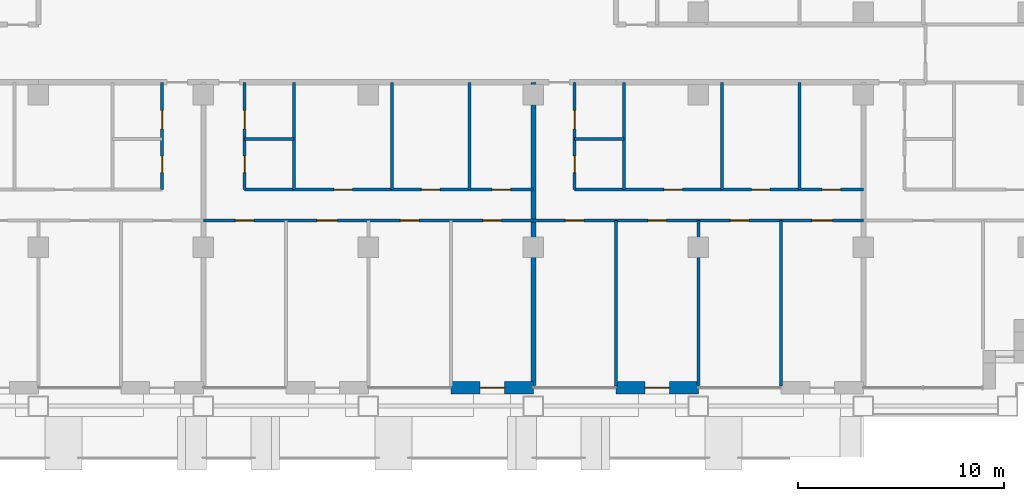
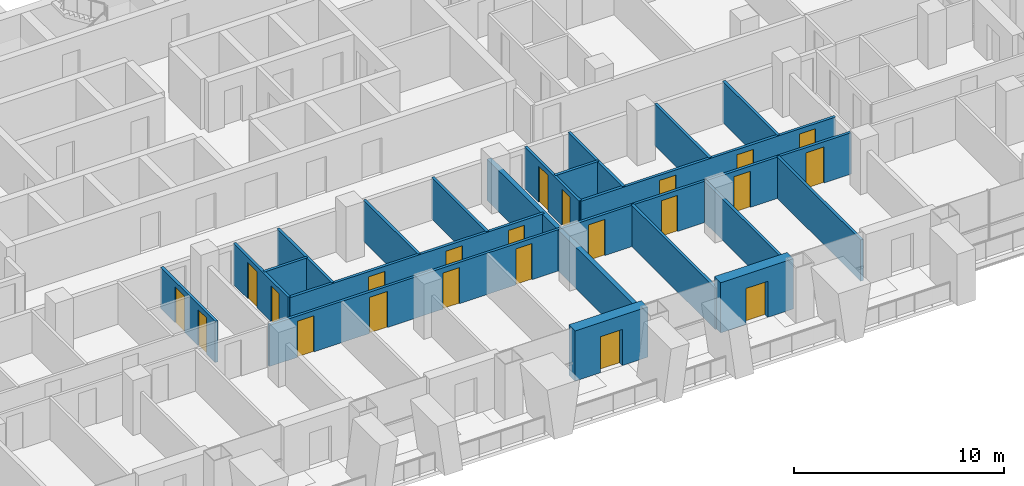
# One storey, part 11 of 19: 22 doors, 21 walls, 22 openings.
"""IFC4 building model written with IfcOpenShell, lengths in metres."""

from ifc_helpers import new_model, si_unit, direction, frame, frame_2d, origin, place, context, subcontext, project, spatial, rectangle, extrude, material, layer, layer_set, type_object, element, fill, save


model = new_model("IFC4")

# Units and contexts
model_context = context("Model", 3, precision=1e-05, world=origin(), true_north=direction((0.0, 1.0)))
body_context = subcontext(model_context, "Body", "Model", "MODEL_VIEW")
ifc_project = project(units=[si_unit("LENGTHUNIT", "METRE"), si_unit("AREAUNIT", "SQUARE_METRE"), si_unit("VOLUMEUNIT", "CUBIC_METRE"), si_unit("PLANEANGLEUNIT", "RADIAN"), si_unit("MASSUNIT", "GRAM", prefix="KILO")], contexts=[model_context])

# Site, building, storey
site_placement = place(None, origin())
site = spatial("IfcSite", under=ifc_project, at=site_placement, CompositionType="ELEMENT")
building_placement = place(site_placement, origin())
building = spatial("IfcBuilding", under=site, at=building_placement, Name="Vidyagriha Tower", CompositionType="ELEMENT")
storey_placement = place(building_placement, frame((0.0, 0.0, 57.60009765625)))
storey = spatial("IfcBuildingStorey", under=building, at=storey_placement, Name="L15", CompositionType="ELEMENT", Elevation=57.60009765625)

# Wall, opening, door
ifc_material_1 = material(Name="Precast concrete C40/50 with brick facing", Category="concrete")
ifc_layer_1 = layer(ifc_material_1, 0.60009765625)
ifc_layer_set_1 = layer_set([ifc_layer_1], Name="Precast concrete C40/50 with brick facing")
wall_type_1 = type_object("IfcWallType", Name="Brick-faced precast wall 600", PredefinedType="STANDARD", material=ifc_layer_set_1)
wall_1_placement = place(storey_placement, frame((6.0, -16.199951171875, 0.0)))
wall_1 = element("IfcWall", 1, at=wall_1_placement, inside=storey, type_object=wall_type_1, Name="Brick door bay wall L15 R23.11", PredefinedType="STANDARD", context=body_context, shape_type="SweptSolid", body=[
    extrude(rectangle(XDim=4.0, YDim=0.60009765625, at=frame_2d((2.0, 0.0))), origin(), (0.0, 0.0, 1.0), 2.919921875),
])
opening_1_placement = place(wall_1_placement, frame((1.39990234375, 0.0, 0.0)))
opening_1 = element("IfcOpeningElement", 2, at=opening_1_placement, cuts=wall_1, Name="Opening D15-88", PredefinedType="OPENING", context=body_context, shape_type="SweptSolid", body=[
    extrude(rectangle(XDim=1.199951171875, YDim=2.10009765625, at=frame_2d((0.60009765625, 1.050048828125))), frame((0.0, 0.31005859375, 0.0), z_axis=(0.0, -1.0, 0.0), x_axis=(1.0, 0.0, 0.0)), (0.0, 0.0, 1.0), 0.6201171875),
])
ifc_material_2 = material(Name="Aluminium framed glazed sliding door", Category="aluminium")
door_type_1 = type_object("IfcDoorType", Name="Balcony sliding door 1200x2100", OperationType="NOTDEFINED", PredefinedType="DOOR", material=ifc_material_2)
door_1_placement = place(opening_1_placement, origin())
door_1 = element("IfcDoor", 3, at=door_1_placement, inside=storey, type_object=door_type_1, Name="Door D15-88", OperationType="SLIDING_TO_LEFT", OverallHeight=2.10009765625, OverallWidth=1.199951171875, PredefinedType="DOOR", context=body_context, shape_type="SweptSolid", body=[
    extrude(rectangle(XDim=1.199951171875, YDim=2.10009765625, at=frame_2d((0.60009765625, 1.050048828125))), frame((0.0, 0.02490234375, 0.0), z_axis=(0.0, -1.0, 0.0), x_axis=(1.0, 0.0, 0.0)), (0.0, 0.0, 1.0), 0.050048828125),
])
fill(opening_1, door_1)

wall_2_placement = place(storey_placement, frame((14.0, -16.199951171875, 0.0)))
wall_2 = element("IfcWall", 4, at=wall_2_placement, inside=storey, type_object=wall_type_1, Name="Brick door bay wall L15 R23.13", PredefinedType="STANDARD", context=body_context, shape_type="SweptSolid", body=[
    extrude(rectangle(XDim=4.0, YDim=0.60009765625, at=frame_2d((2.0, 0.0))), origin(), (0.0, 0.0, 1.0), 2.919921875),
])
opening_2_placement = place(wall_2_placement, frame((1.39990234375, 0.0, 0.0)))
opening_2 = element("IfcOpeningElement", 5, at=opening_2_placement, cuts=wall_2, Name="Opening D15-89", PredefinedType="OPENING", context=body_context, shape_type="SweptSolid", body=[
    extrude(rectangle(XDim=1.199951171875, YDim=2.10009765625, at=frame_2d((0.60009765625, 1.050048828125))), frame((0.0, 0.31005859375, 0.0), z_axis=(0.0, -1.0, 0.0), x_axis=(1.0, 0.0, 0.0)), (0.0, 0.0, 1.0), 0.6201171875),
])
door_2_placement = place(opening_2_placement, origin())
door_2 = element("IfcDoor", 6, at=door_2_placement, inside=storey, type_object=door_type_1, Name="Door D15-89", OperationType="SLIDING_TO_LEFT", OverallHeight=2.10009765625, OverallWidth=1.199951171875, PredefinedType="DOOR", context=body_context, shape_type="SweptSolid", body=[
    extrude(rectangle(XDim=1.199951171875, YDim=2.10009765625, at=frame_2d((0.60009765625, 1.050048828125))), frame((0.0, 0.02490234375, 0.0), z_axis=(0.0, -1.0, 0.0), x_axis=(1.0, 0.0, 0.0)), (0.0, 0.0, 1.0), 0.050048828125),
])
fill(opening_2, door_2)

# Walls
ifc_material_3 = material(Name="Fired clay brick masonry", Category="masonry")
ifc_layer_2 = layer(ifc_material_3, 0.25)
ifc_layer_set_2 = layer_set([ifc_layer_2], Name="Fired clay brick masonry")
wall_type_2 = type_object("IfcWallType", Name="Fired clay brick demising wall 250", PredefinedType="PARTITIONING", material=ifc_layer_set_2)
wall_3_placement = place(storey_placement, frame((10.0, -1.39990234375, 0.0), z_axis=(0.0, 0.0, 1.0), x_axis=(0.0, -1.0, 0.0)))
element("IfcWall", 7, at=wall_3_placement, inside=storey, type_object=wall_type_2, Name="Wall all-L15-w079", PredefinedType="PARTITIONING", context=body_context, shape_type="SweptSolid", body=[
    extrude(rectangle(XDim=14.710205078125, YDim=0.25, at=frame_2d((7.35498046875, 0.0))), origin(), (0.0, 0.0, 1.0), 2.39990234375),
])
ifc_material_4 = material(Name="Gypsum board partition")
ifc_layer_3 = layer(ifc_material_4, 0.14990234375)
ifc_layer_set_3 = layer_set([ifc_layer_3], Name="Gypsum board partition")
wall_type_3 = type_object("IfcWallType", Name="Gypsum board partition 150", PredefinedType="PARTITIONING", material=ifc_layer_set_3)
wall_4_placement = place(storey_placement, frame((-1.60009765625, -4.14990234375, 0.0), z_axis=(0.0, 0.0, 1.0), x_axis=(-1.0, 0.0, 0.0)))
element("IfcWall", 8, at=wall_4_placement, inside=storey, type_object=wall_type_3, Name="Wall all-L15-w041", PredefinedType="PARTITIONING", context=body_context, shape_type="SweptSolid", body=[
    extrude(rectangle(XDim=2.39990234375, YDim=0.14990234375, at=frame_2d((1.199951171875, 0.0))), origin(), (0.0, 0.0, 1.0), 2.39990234375),
])
for number, where, z_axis, x_axis, name in (
    (9, (-1.60009765625, -1.39990234375, 0.0), (0.0, 0.0, 1.0), (0.0, -1.0, 0.0), "Wall all-L15-w042"),
    (10, (3.14990234375, -1.39990234375, 0.0), (0.0, 0.0, 1.0), (0.0, -1.0, 0.0), "Wall all-L15-w043"),
    (11, (6.89990234375, -1.39990234375, 0.0), (0.0, 0.0, 1.0), (0.0, -1.0, 0.0), "Wall all-L15-w044"),
):
    element("IfcWall", number, at=place(storey_placement, frame(where, z_axis=z_axis, x_axis=x_axis)), inside=storey, type_object=wall_type_3, Name=name, PredefinedType="PARTITIONING", context=body_context, shape_type="SweptSolid", body=[
        extrude(rectangle(XDim=5.2001953125, YDim=0.14990234375, at=frame_2d((2.60009765625, 0.0))), origin(), (0.0, 0.0, 1.0), 2.39990234375),
    ])

# Wall, openings, doors
wall_5_placement = place(storey_placement, frame((-4.0, -6.60009765625, 0.0)))
wall_5 = element("IfcWall", 12, at=wall_5_placement, inside=storey, type_object=wall_type_3, Name="Wall all-L15-w045", PredefinedType="PARTITIONING", context=body_context, shape_type="SweptSolid", body=[
    extrude(rectangle(XDim=14.0, YDim=0.14990234375, at=frame_2d((7.0, 0.0))), origin(), (0.0, 0.0, 1.0), 2.39990234375),
])
opening_3_placement = place(wall_5_placement, frame((4.324951171875, 0.0, 0.0)))
opening_3 = element("IfcOpeningElement", 13, at=opening_3_placement, cuts=wall_5, Name="Opening D15-34", PredefinedType="OPENING", context=body_context, shape_type="SweptSolid", body=[
    extrude(rectangle(XDim=0.89990234375, YDim=2.10009765625, at=frame_2d((0.449951171875, 1.050048828125))), frame((0.0, 0.0849609375, 0.0), z_axis=(0.0, -1.0, 0.0), x_axis=(1.0, 0.0, 0.0)), (0.0, 0.0, 1.0), 0.169921875),
])
opening_4_placement = place(wall_5_placement, frame((8.574951171875, 0.0, 0.0)))
opening_4 = element("IfcOpeningElement", 14, at=opening_4_placement, cuts=wall_5, Name="Opening D15-35", PredefinedType="OPENING", context=body_context, shape_type="SweptSolid", body=[
    extrude(rectangle(XDim=0.89990234375, YDim=2.10009765625, at=frame_2d((0.449951171875, 1.050048828125))), frame((0.0, 0.0849609375, 0.0), z_axis=(0.0, -1.0, 0.0), x_axis=(1.0, 0.0, 0.0)), (0.0, 0.0, 1.0), 0.169921875),
])
opening_5_placement = place(wall_5_placement, frame((12.0, 0.0, 0.0)))
opening_5 = element("IfcOpeningElement", 15, at=opening_5_placement, cuts=wall_5, Name="Opening D15-36", PredefinedType="OPENING", context=body_context, shape_type="SweptSolid", body=[
    extrude(rectangle(XDim=0.89990234375, YDim=2.10009765625, at=frame_2d((0.449951171875, 1.050048828125))), frame((0.0, 0.0849609375, 0.0), z_axis=(0.0, -1.0, 0.0), x_axis=(1.0, 0.0, 0.0)), (0.0, 0.0, 1.0), 0.169921875),
])
ifc_material_5 = material(Name="Timber door leaf", Category="wood")
door_type_2 = type_object("IfcDoorType", Name="Room door 900x2100", OperationType="NOTDEFINED", PredefinedType="DOOR", material=ifc_material_5)
door_3_placement = place(opening_3_placement, origin())
door_3 = element("IfcDoor", 16, at=door_3_placement, inside=storey, type_object=door_type_2, Name="Door D15-34", OperationType="SINGLE_SWING_RIGHT", OverallHeight=2.10009765625, OverallWidth=0.89990234375, PredefinedType="DOOR", context=body_context, shape_type="SweptSolid", body=[
    extrude(rectangle(XDim=0.89990234375, YDim=2.10009765625, at=frame_2d((0.449951171875, 1.050048828125))), frame((0.0, 0.02490234375, 0.0), z_axis=(0.0, -1.0, 0.0), x_axis=(1.0, 0.0, 0.0)), (0.0, 0.0, 1.0), 0.050048828125),
])
fill(opening_3, door_3)
door_4_placement = place(opening_4_placement, origin())
door_4 = element("IfcDoor", 17, at=door_4_placement, inside=storey, type_object=door_type_2, Name="Door D15-35", OperationType="SINGLE_SWING_RIGHT", OverallHeight=2.10009765625, OverallWidth=0.89990234375, PredefinedType="DOOR", context=body_context, shape_type="SweptSolid", body=[
    extrude(rectangle(XDim=0.89990234375, YDim=2.10009765625, at=frame_2d((0.449951171875, 1.050048828125))), frame((0.0, 0.02490234375, 0.0), z_axis=(0.0, -1.0, 0.0), x_axis=(1.0, 0.0, 0.0)), (0.0, 0.0, 1.0), 0.050048828125),
])
fill(opening_4, door_4)
door_5_placement = place(opening_5_placement, origin())
door_5 = element("IfcDoor", 18, at=door_5_placement, inside=storey, type_object=door_type_2, Name="Door D15-36", OperationType="SINGLE_SWING_LEFT", OverallHeight=2.10009765625, OverallWidth=0.89990234375, PredefinedType="DOOR", context=body_context, shape_type="SweptSolid", body=[
    extrude(rectangle(XDim=0.89990234375, YDim=2.10009765625, at=frame_2d((0.449951171875, 1.050048828125))), frame((0.0, 0.02490234375, 0.0), z_axis=(0.0, -1.0, 0.0), x_axis=(1.0, 0.0, 0.0)), (0.0, 0.0, 1.0), 0.050048828125),
])
fill(opening_5, door_5)

wall_6_placement = place(storey_placement, frame((10.0, -8.10009765625, 0.0), z_axis=(0.0, 0.0, 1.0), x_axis=(-1.0, 0.0, 0.0)))
wall_6 = element("IfcWall", 19, at=wall_6_placement, inside=storey, type_object=wall_type_3, Name="Wall all-L15-w049", PredefinedType="PARTITIONING", context=body_context, shape_type="SweptSolid", body=[
    extrude(rectangle(XDim=16.0, YDim=0.14990234375, at=frame_2d((8.0, 0.0))), origin(), (0.0, 0.0, 1.0), 2.39990234375),
])
opening_6_placement = place(wall_6_placement, frame((13.550048828125, 0.0, 0.0)))
opening_6 = element("IfcOpeningElement", 20, at=opening_6_placement, cuts=wall_6, Name="Opening D15-37", PredefinedType="OPENING", context=body_context, shape_type="SweptSolid", body=[
    extrude(rectangle(XDim=0.89990234375, YDim=2.10009765625, at=frame_2d((0.449951171875, 1.050048828125))), frame((0.0, 0.0849609375, 0.0), z_axis=(0.0, -1.0, 0.0), x_axis=(1.0, 0.0, 0.0)), (0.0, 0.0, 1.0), 0.169921875),
])
opening_7_placement = place(wall_6_placement, frame((9.5, 0.0, 0.0)))
opening_7 = element("IfcOpeningElement", 21, at=opening_7_placement, cuts=wall_6, Name="Opening D15-38", PredefinedType="OPENING", context=body_context, shape_type="SweptSolid", body=[
    extrude(rectangle(XDim=1.0, YDim=2.10009765625, at=frame_2d((0.5, 1.050048828125))), frame((0.0, 0.0849609375, 0.0), z_axis=(0.0, -1.0, 0.0), x_axis=(1.0, 0.0, 0.0)), (0.0, 0.0, 1.0), 0.169921875),
])
opening_8_placement = place(wall_6_placement, frame((5.550048828125, 0.0, 0.0)))
opening_8 = element("IfcOpeningElement", 22, at=opening_8_placement, cuts=wall_6, Name="Opening D15-39", PredefinedType="OPENING", context=body_context, shape_type="SweptSolid", body=[
    extrude(rectangle(XDim=0.89990234375, YDim=2.10009765625, at=frame_2d((0.449951171875, 1.050048828125))), frame((0.0, 0.0849609375, 0.0), z_axis=(0.0, -1.0, 0.0), x_axis=(1.0, 0.0, 0.0)), (0.0, 0.0, 1.0), 0.169921875),
])
opening_9_placement = place(wall_6_placement, frame((1.550048828125, 0.0, 0.0)))
opening_9 = element("IfcOpeningElement", 23, at=opening_9_placement, cuts=wall_6, Name="Opening D15-40", PredefinedType="OPENING", context=body_context, shape_type="SweptSolid", body=[
    extrude(rectangle(XDim=0.89990234375, YDim=2.10009765625, at=frame_2d((0.449951171875, 1.050048828125))), frame((0.0, 0.0849609375, 0.0), z_axis=(0.0, -1.0, 0.0), x_axis=(1.0, 0.0, 0.0)), (0.0, 0.0, 1.0), 0.169921875),
])
ifc_material_6 = material(Name="Timber door leaf", Category="wood")
door_type_3 = type_object("IfcDoorType", Name="Room door 1000x2100", OperationType="NOTDEFINED", PredefinedType="DOOR", material=ifc_material_6)
door_6_placement = place(opening_7_placement, origin())
door_6 = element("IfcDoor", 24, at=door_6_placement, inside=storey, type_object=door_type_3, Name="Door D15-38", OperationType="SINGLE_SWING_RIGHT", OverallHeight=2.10009765625, OverallWidth=1.0, PredefinedType="DOOR", context=body_context, shape_type="SweptSolid", body=[
    extrude(rectangle(XDim=1.0, YDim=2.10009765625, at=frame_2d((0.5, 1.050048828125))), frame((0.0, 0.02490234375, 0.0), z_axis=(0.0, -1.0, 0.0), x_axis=(1.0, 0.0, 0.0)), (0.0, 0.0, 1.0), 0.050048828125),
])
fill(opening_7, door_6)
door_7_placement = place(opening_6_placement, origin())
door_7 = element("IfcDoor", 25, at=door_7_placement, inside=storey, type_object=door_type_2, Name="Door D15-37", OperationType="SINGLE_SWING_RIGHT", OverallHeight=2.10009765625, OverallWidth=0.89990234375, PredefinedType="DOOR", context=body_context, shape_type="SweptSolid", body=[
    extrude(rectangle(XDim=0.89990234375, YDim=2.10009765625, at=frame_2d((0.449951171875, 1.050048828125))), frame((0.0, 0.02490234375, 0.0), z_axis=(0.0, -1.0, 0.0), x_axis=(1.0, 0.0, 0.0)), (0.0, 0.0, 1.0), 0.050048828125),
])
fill(opening_6, door_7)
door_8_placement = place(opening_8_placement, origin())
door_8 = element("IfcDoor", 26, at=door_8_placement, inside=storey, type_object=door_type_2, Name="Door D15-39", OperationType="SINGLE_SWING_RIGHT", OverallHeight=2.10009765625, OverallWidth=0.89990234375, PredefinedType="DOOR", context=body_context, shape_type="SweptSolid", body=[
    extrude(rectangle(XDim=0.89990234375, YDim=2.10009765625, at=frame_2d((0.449951171875, 1.050048828125))), frame((0.0, 0.02490234375, 0.0), z_axis=(0.0, -1.0, 0.0), x_axis=(1.0, 0.0, 0.0)), (0.0, 0.0, 1.0), 0.050048828125),
])
fill(opening_8, door_8)
door_9_placement = place(opening_9_placement, origin())
door_9 = element("IfcDoor", 27, at=door_9_placement, inside=storey, type_object=door_type_2, Name="Door D15-40", OperationType="SINGLE_SWING_RIGHT", OverallHeight=2.10009765625, OverallWidth=0.89990234375, PredefinedType="DOOR", context=body_context, shape_type="SweptSolid", body=[
    extrude(rectangle(XDim=0.89990234375, YDim=2.10009765625, at=frame_2d((0.449951171875, 1.050048828125))), frame((0.0, 0.02490234375, 0.0), z_axis=(0.0, -1.0, 0.0), x_axis=(1.0, 0.0, 0.0)), (0.0, 0.0, 1.0), 0.050048828125),
])
fill(opening_9, door_9)

# Walls
wall_7_placement = place(storey_placement, frame((14.39990234375, -4.14990234375, 0.0), z_axis=(0.0, 0.0, 1.0), x_axis=(-1.0, 0.0, 0.0)))
element("IfcWall", 28, at=wall_7_placement, inside=storey, type_object=wall_type_3, Name="Wall all-L15-w062", PredefinedType="PARTITIONING", context=body_context, shape_type="SweptSolid", body=[
    extrude(rectangle(XDim=2.39990234375, YDim=0.14990234375, at=frame_2d((1.199951171875, 0.0))), origin(), (0.0, 0.0, 1.0), 2.39990234375),
])
for number, where, z_axis, x_axis, name in (
    (29, (14.39990234375, -1.39990234375, 0.0), (0.0, 0.0, 1.0), (0.0, -1.0, 0.0), "Wall all-L15-w063"),
    (30, (19.14990234375, -1.39990234375, 0.0), (0.0, 0.0, 1.0), (0.0, -1.0, 0.0), "Wall all-L15-w064"),
    (31, (22.89990234375, -1.39990234375, 0.0), (0.0, 0.0, 1.0), (0.0, -1.0, 0.0), "Wall all-L15-w065"),
):
    element("IfcWall", number, at=place(storey_placement, frame(where, z_axis=z_axis, x_axis=x_axis)), inside=storey, type_object=wall_type_3, Name=name, PredefinedType="PARTITIONING", context=body_context, shape_type="SweptSolid", body=[
        extrude(rectangle(XDim=5.2001953125, YDim=0.14990234375, at=frame_2d((2.60009765625, 0.0))), origin(), (0.0, 0.0, 1.0), 2.39990234375),
    ])

# Wall, openings, doors
wall_8_placement = place(storey_placement, frame((12.0, -6.60009765625, 0.0)))
wall_8 = element("IfcWall", 32, at=wall_8_placement, inside=storey, type_object=wall_type_3, Name="Wall all-L15-w066", PredefinedType="PARTITIONING", context=body_context, shape_type="SweptSolid", body=[
    extrude(rectangle(XDim=14.0, YDim=0.14990234375, at=frame_2d((7.0, 0.0))), origin(), (0.0, 0.0, 1.0), 2.39990234375),
])
opening_10_placement = place(wall_8_placement, frame((4.324951171875, 0.0, 0.0)))
opening_10 = element("IfcOpeningElement", 33, at=opening_10_placement, cuts=wall_8, Name="Opening D15-44", PredefinedType="OPENING", context=body_context, shape_type="SweptSolid", body=[
    extrude(rectangle(XDim=0.89990234375, YDim=2.10009765625, at=frame_2d((0.449951171875, 1.050048828125))), frame((0.0, 0.0849609375, 0.0), z_axis=(0.0, -1.0, 0.0), x_axis=(1.0, 0.0, 0.0)), (0.0, 0.0, 1.0), 0.169921875),
])
opening_11_placement = place(wall_8_placement, frame((8.574951171875, 0.0, 0.0)))
opening_11 = element("IfcOpeningElement", 34, at=opening_11_placement, cuts=wall_8, Name="Opening D15-45", PredefinedType="OPENING", context=body_context, shape_type="SweptSolid", body=[
    extrude(rectangle(XDim=0.89990234375, YDim=2.10009765625, at=frame_2d((0.449951171875, 1.050048828125))), frame((0.0, 0.0849609375, 0.0), z_axis=(0.0, -1.0, 0.0), x_axis=(1.0, 0.0, 0.0)), (0.0, 0.0, 1.0), 0.169921875),
])
opening_12_placement = place(wall_8_placement, frame((12.0, 0.0, 0.0)))
opening_12 = element("IfcOpeningElement", 35, at=opening_12_placement, cuts=wall_8, Name="Opening D15-46", PredefinedType="OPENING", context=body_context, shape_type="SweptSolid", body=[
    extrude(rectangle(XDim=0.89990234375, YDim=2.10009765625, at=frame_2d((0.449951171875, 1.050048828125))), frame((0.0, 0.0849609375, 0.0), z_axis=(0.0, -1.0, 0.0), x_axis=(1.0, 0.0, 0.0)), (0.0, 0.0, 1.0), 0.169921875),
])
door_10_placement = place(opening_10_placement, origin())
door_10 = element("IfcDoor", 36, at=door_10_placement, inside=storey, type_object=door_type_2, Name="Door D15-44", OperationType="SINGLE_SWING_LEFT", OverallHeight=2.10009765625, OverallWidth=0.89990234375, PredefinedType="DOOR", context=body_context, shape_type="SweptSolid", body=[
    extrude(rectangle(XDim=0.89990234375, YDim=2.10009765625, at=frame_2d((0.449951171875, 1.050048828125))), frame((0.0, 0.02490234375, 0.0), z_axis=(0.0, -1.0, 0.0), x_axis=(1.0, 0.0, 0.0)), (0.0, 0.0, 1.0), 0.050048828125),
])
fill(opening_10, door_10)
door_11_placement = place(opening_11_placement, origin())
door_11 = element("IfcDoor", 37, at=door_11_placement, inside=storey, type_object=door_type_2, Name="Door D15-45", OperationType="SINGLE_SWING_RIGHT", OverallHeight=2.10009765625, OverallWidth=0.89990234375, PredefinedType="DOOR", context=body_context, shape_type="SweptSolid", body=[
    extrude(rectangle(XDim=0.89990234375, YDim=2.10009765625, at=frame_2d((0.449951171875, 1.050048828125))), frame((0.0, 0.02490234375, 0.0), z_axis=(0.0, -1.0, 0.0), x_axis=(1.0, 0.0, 0.0)), (0.0, 0.0, 1.0), 0.050048828125),
])
fill(opening_11, door_11)
door_12_placement = place(opening_12_placement, origin())
door_12 = element("IfcDoor", 38, at=door_12_placement, inside=storey, type_object=door_type_2, Name="Door D15-46", OperationType="SINGLE_SWING_RIGHT", OverallHeight=2.10009765625, OverallWidth=0.89990234375, PredefinedType="DOOR", context=body_context, shape_type="SweptSolid", body=[
    extrude(rectangle(XDim=0.89990234375, YDim=2.10009765625, at=frame_2d((0.449951171875, 1.050048828125))), frame((0.0, 0.02490234375, 0.0), z_axis=(0.0, -1.0, 0.0), x_axis=(1.0, 0.0, 0.0)), (0.0, 0.0, 1.0), 0.050048828125),
])
fill(opening_12, door_12)

wall_9_placement = place(storey_placement, frame((26.0, -8.10009765625, 0.0), z_axis=(0.0, 0.0, 1.0), x_axis=(-1.0, 0.0, 0.0)))
wall_9 = element("IfcWall", 39, at=wall_9_placement, inside=storey, type_object=wall_type_3, Name="Wall all-L15-w070", PredefinedType="PARTITIONING", context=body_context, shape_type="SweptSolid", body=[
    extrude(rectangle(XDim=16.0, YDim=0.14990234375, at=frame_2d((8.0, 0.0))), origin(), (0.0, 0.0, 1.0), 2.39990234375),
])
opening_13_placement = place(wall_9_placement, frame((13.550048828125, 0.0, 0.0)))
opening_13 = element("IfcOpeningElement", 40, at=opening_13_placement, cuts=wall_9, Name="Opening D15-47", PredefinedType="OPENING", context=body_context, shape_type="SweptSolid", body=[
    extrude(rectangle(XDim=0.89990234375, YDim=2.10009765625, at=frame_2d((0.449951171875, 1.050048828125))), frame((0.0, 0.0849609375, 0.0), z_axis=(0.0, -1.0, 0.0), x_axis=(1.0, 0.0, 0.0)), (0.0, 0.0, 1.0), 0.169921875),
])
opening_14_placement = place(wall_9_placement, frame((9.550048828125, 0.0, 0.0)))
opening_14 = element("IfcOpeningElement", 41, at=opening_14_placement, cuts=wall_9, Name="Opening D15-48", PredefinedType="OPENING", context=body_context, shape_type="SweptSolid", body=[
    extrude(rectangle(XDim=0.89990234375, YDim=2.10009765625, at=frame_2d((0.449951171875, 1.050048828125))), frame((0.0, 0.0849609375, 0.0), z_axis=(0.0, -1.0, 0.0), x_axis=(1.0, 0.0, 0.0)), (0.0, 0.0, 1.0), 0.169921875),
])
opening_15_placement = place(wall_9_placement, frame((5.550048828125, 0.0, 0.0)))
opening_15 = element("IfcOpeningElement", 42, at=opening_15_placement, cuts=wall_9, Name="Opening D15-49", PredefinedType="OPENING", context=body_context, shape_type="SweptSolid", body=[
    extrude(rectangle(XDim=0.89990234375, YDim=2.10009765625, at=frame_2d((0.449951171875, 1.050048828125))), frame((0.0, 0.0849609375, 0.0), z_axis=(0.0, -1.0, 0.0), x_axis=(1.0, 0.0, 0.0)), (0.0, 0.0, 1.0), 0.169921875),
])
opening_16_placement = place(wall_9_placement, frame((1.5, 0.0, 0.0)))
opening_16 = element("IfcOpeningElement", 43, at=opening_16_placement, cuts=wall_9, Name="Opening D15-50", PredefinedType="OPENING", context=body_context, shape_type="SweptSolid", body=[
    extrude(rectangle(XDim=1.0, YDim=2.10009765625, at=frame_2d((0.5, 1.050048828125))), frame((0.0, 0.0849609375, 0.0), z_axis=(0.0, -1.0, 0.0), x_axis=(1.0, 0.0, 0.0)), (0.0, 0.0, 1.0), 0.169921875),
])
door_13_placement = place(opening_16_placement, origin())
door_13 = element("IfcDoor", 44, at=door_13_placement, inside=storey, type_object=door_type_3, Name="Door D15-50", OperationType="SINGLE_SWING_RIGHT", OverallHeight=2.10009765625, OverallWidth=1.0, PredefinedType="DOOR", context=body_context, shape_type="SweptSolid", body=[
    extrude(rectangle(XDim=1.0, YDim=2.10009765625, at=frame_2d((0.5, 1.050048828125))), frame((0.0, 0.02490234375, 0.0), z_axis=(0.0, -1.0, 0.0), x_axis=(1.0, 0.0, 0.0)), (0.0, 0.0, 1.0), 0.050048828125),
])
fill(opening_16, door_13)
door_14_placement = place(opening_13_placement, origin())
door_14 = element("IfcDoor", 45, at=door_14_placement, inside=storey, type_object=door_type_2, Name="Door D15-47", OperationType="SINGLE_SWING_RIGHT", OverallHeight=2.10009765625, OverallWidth=0.89990234375, PredefinedType="DOOR", context=body_context, shape_type="SweptSolid", body=[
    extrude(rectangle(XDim=0.89990234375, YDim=2.10009765625, at=frame_2d((0.449951171875, 1.050048828125))), frame((0.0, 0.02490234375, 0.0), z_axis=(0.0, -1.0, 0.0), x_axis=(1.0, 0.0, 0.0)), (0.0, 0.0, 1.0), 0.050048828125),
])
fill(opening_13, door_14)
door_15_placement = place(opening_14_placement, origin())
door_15 = element("IfcDoor", 46, at=door_15_placement, inside=storey, type_object=door_type_2, Name="Door D15-48", OperationType="SINGLE_SWING_RIGHT", OverallHeight=2.10009765625, OverallWidth=0.89990234375, PredefinedType="DOOR", context=body_context, shape_type="SweptSolid", body=[
    extrude(rectangle(XDim=0.89990234375, YDim=2.10009765625, at=frame_2d((0.449951171875, 1.050048828125))), frame((0.0, 0.02490234375, 0.0), z_axis=(0.0, -1.0, 0.0), x_axis=(1.0, 0.0, 0.0)), (0.0, 0.0, 1.0), 0.050048828125),
])
fill(opening_14, door_15)
door_16_placement = place(opening_15_placement, origin())
door_16 = element("IfcDoor", 47, at=door_16_placement, inside=storey, type_object=door_type_2, Name="Door D15-49", OperationType="SINGLE_SWING_RIGHT", OverallHeight=2.10009765625, OverallWidth=0.89990234375, PredefinedType="DOOR", context=body_context, shape_type="SweptSolid", body=[
    extrude(rectangle(XDim=0.89990234375, YDim=2.10009765625, at=frame_2d((0.449951171875, 1.050048828125))), frame((0.0, 0.02490234375, 0.0), z_axis=(0.0, -1.0, 0.0), x_axis=(1.0, 0.0, 0.0)), (0.0, 0.0, 1.0), 0.050048828125),
])
fill(opening_15, door_16)

# Walls
wall_10_placement = place(storey_placement, frame((14.0, -8.10009765625, 0.0), z_axis=(0.0, 0.0, 1.0), x_axis=(0.0, -1.0, 0.0)))
element("IfcWall", 48, at=wall_10_placement, inside=storey, type_object=wall_type_3, Name="Wall all-L15-w075", PredefinedType="PARTITIONING", context=body_context, shape_type="SweptSolid", body=[
    extrude(rectangle(XDim=8.02099609375, YDim=0.14990234375, at=frame_2d((4.010498046875, 0.0))), origin(), (0.0, 0.0, 1.0), 2.39990234375),
])
wall_11_placement = place(storey_placement, frame((18.0, -8.10009765625, 0.0), z_axis=(0.0, 0.0, 1.0), x_axis=(0.0, -1.0, 0.0)))
element("IfcWall", 49, at=wall_11_placement, inside=storey, type_object=wall_type_3, Name="Wall all-L15-w076", PredefinedType="PARTITIONING", context=body_context, shape_type="SweptSolid", body=[
    extrude(rectangle(XDim=8.010009765625, YDim=0.14990234375, at=frame_2d((4.0048828125, 0.0))), origin(), (0.0, 0.0, 1.0), 2.39990234375),
])
wall_12_placement = place(storey_placement, frame((22.0, -8.10009765625, 0.0), z_axis=(0.0, 0.0, 1.0), x_axis=(0.0, -1.0, 0.0)))
element("IfcWall", 50, at=wall_12_placement, inside=storey, type_object=wall_type_3, Name="Wall all-L15-w077", PredefinedType="PARTITIONING", context=body_context, shape_type="SweptSolid", body=[
    extrude(rectangle(XDim=8.02099609375, YDim=0.14990234375, at=frame_2d((4.010498046875, 0.0))), origin(), (0.0, 0.0, 1.0), 2.39990234375),
])

# Wall, openings, doors
ifc_material_7 = material(Name="Moisture resistant gypsum board partition")
ifc_layer_4 = layer(ifc_material_7, 0.14990234375)
ifc_layer_set_4 = layer_set([ifc_layer_4], Name="Moisture resistant gypsum board partition")
wall_type_4 = type_object("IfcWallType", Name="Gypsum board wet-area partition 150", PredefinedType="PARTITIONING", material=ifc_layer_set_4)
wall_13_placement = place(storey_placement, frame((-8.0, -6.60009765625, 0.0), z_axis=(0.0, 0.0, 1.0), x_axis=(0.0, 1.0, 0.0)))
wall_13 = element("IfcWall", 51, at=wall_13_placement, inside=storey, type_object=wall_type_4, Name="Wall all-L15-w017", PredefinedType="PARTITIONING", context=body_context, shape_type="SweptSolid", body=[
    extrude(rectangle(XDim=5.2001953125, YDim=0.14990234375, at=frame_2d((2.60009765625, 0.0))), origin(), (0.0, 0.0, 1.0), 2.39990234375),
])
opening_17_placement = place(wall_13_placement, frame((2.93994140625, 0.0, 0.0)))
opening_17 = element("IfcOpeningElement", 52, at=opening_17_placement, cuts=wall_13, Name="Opening D15-22", PredefinedType="OPENING", context=body_context, shape_type="SweptSolid", body=[
    extrude(rectangle(XDim=0.89990234375, YDim=2.10009765625, at=frame_2d((0.449951171875, 1.050048828125))), frame((0.0, 0.0849609375, 0.0), z_axis=(0.0, -1.0, 0.0), x_axis=(1.0, 0.0, 0.0)), (0.0, 0.0, 1.0), 0.169921875),
])
opening_18_placement = place(wall_13_placement, frame((0.824951171875, 0.0, 0.0)))
opening_18 = element("IfcOpeningElement", 53, at=opening_18_placement, cuts=wall_13, Name="Opening D15-23", PredefinedType="OPENING", context=body_context, shape_type="SweptSolid", body=[
    extrude(rectangle(XDim=0.800048828125, YDim=2.10009765625, at=frame_2d((0.39990234375, 1.050048828125))), frame((0.0, 0.0849609375, 0.0), z_axis=(0.0, -1.0, 0.0), x_axis=(1.0, 0.0, 0.0)), (0.0, 0.0, 1.0), 0.169921875),
])
ifc_material_8 = material(Name="Timber door leaf", Category="wood")
door_type_4 = type_object("IfcDoorType", Name="Bathroom door 800x2100", OperationType="NOTDEFINED", PredefinedType="DOOR", material=ifc_material_8)
door_17_placement = place(opening_18_placement, origin())
door_17 = element("IfcDoor", 54, at=door_17_placement, inside=storey, type_object=door_type_4, Name="Door D15-23", OperationType="SINGLE_SWING_RIGHT", OverallHeight=2.10009765625, OverallWidth=0.800048828125, PredefinedType="DOOR", context=body_context, shape_type="SweptSolid", body=[
    extrude(rectangle(XDim=0.800048828125, YDim=2.10009765625, at=frame_2d((0.39990234375, 1.050048828125))), frame((0.0, 0.02490234375, 0.0), z_axis=(0.0, -1.0, 0.0), x_axis=(1.0, 0.0, 0.0)), (0.0, 0.0, 1.0), 0.050048828125),
])
fill(opening_18, door_17)
ifc_material_9 = material(Name="Timber door leaf", Category="wood")
door_type_5 = type_object("IfcDoorType", Name="Kitchen door 900x2100", OperationType="NOTDEFINED", PredefinedType="DOOR", material=ifc_material_9)
door_18_placement = place(opening_17_placement, origin())
door_18 = element("IfcDoor", 55, at=door_18_placement, inside=storey, type_object=door_type_5, Name="Door D15-22", OperationType="SINGLE_SWING_LEFT", OverallHeight=2.10009765625, OverallWidth=0.89990234375, PredefinedType="DOOR", context=body_context, shape_type="SweptSolid", body=[
    extrude(rectangle(XDim=0.89990234375, YDim=2.10009765625, at=frame_2d((0.449951171875, 1.050048828125))), frame((0.0, 0.02490234375, 0.0), z_axis=(0.0, -1.0, 0.0), x_axis=(1.0, 0.0, 0.0)), (0.0, 0.0, 1.0), 0.050048828125),
])
fill(opening_17, door_18)

wall_14_placement = place(storey_placement, frame((-4.0, -1.39990234375, 0.0), z_axis=(0.0, 0.0, 1.0), x_axis=(0.0, -1.0, 0.0)))
wall_14 = element("IfcWall", 56, at=wall_14_placement, inside=storey, type_object=wall_type_4, Name="Wall all-L15-w038", PredefinedType="PARTITIONING", context=body_context, shape_type="SweptSolid", body=[
    extrude(rectangle(XDim=5.2001953125, YDim=0.14990234375, at=frame_2d((2.60009765625, 0.0))), origin(), (0.0, 0.0, 1.0), 2.39990234375),
])
opening_19_placement = place(wall_14_placement, frame((1.360107421875, 0.0, 0.0)))
opening_19 = element("IfcOpeningElement", 57, at=opening_19_placement, cuts=wall_14, Name="Opening D15-32", PredefinedType="OPENING", context=body_context, shape_type="SweptSolid", body=[
    extrude(rectangle(XDim=0.89990234375, YDim=2.10009765625, at=frame_2d((0.449951171875, 1.050048828125))), frame((0.0, 0.0849609375, 0.0), z_axis=(0.0, -1.0, 0.0), x_axis=(1.0, 0.0, 0.0)), (0.0, 0.0, 1.0), 0.169921875),
])
opening_20_placement = place(wall_14_placement, frame((3.574951171875, 0.0, 0.0)))
opening_20 = element("IfcOpeningElement", 58, at=opening_20_placement, cuts=wall_14, Name="Opening D15-33", PredefinedType="OPENING", context=body_context, shape_type="SweptSolid", body=[
    extrude(rectangle(XDim=0.800048828125, YDim=2.10009765625, at=frame_2d((0.39990234375, 1.050048828125))), frame((0.0, 0.0849609375, 0.0), z_axis=(0.0, -1.0, 0.0), x_axis=(1.0, 0.0, 0.0)), (0.0, 0.0, 1.0), 0.169921875),
])
door_19_placement = place(opening_20_placement, origin())
door_19 = element("IfcDoor", 59, at=door_19_placement, inside=storey, type_object=door_type_4, Name="Door D15-33", OperationType="SINGLE_SWING_RIGHT", OverallHeight=2.10009765625, OverallWidth=0.800048828125, PredefinedType="DOOR", context=body_context, shape_type="SweptSolid", body=[
    extrude(rectangle(XDim=0.800048828125, YDim=2.10009765625, at=frame_2d((0.39990234375, 1.050048828125))), frame((0.0, 0.02490234375, 0.0), z_axis=(0.0, -1.0, 0.0), x_axis=(1.0, 0.0, 0.0)), (0.0, 0.0, 1.0), 0.050048828125),
])
fill(opening_20, door_19)
door_20_placement = place(opening_19_placement, origin())
door_20 = element("IfcDoor", 60, at=door_20_placement, inside=storey, type_object=door_type_5, Name="Door D15-32", OperationType="SINGLE_SWING_RIGHT", OverallHeight=2.10009765625, OverallWidth=0.89990234375, PredefinedType="DOOR", context=body_context, shape_type="SweptSolid", body=[
    extrude(rectangle(XDim=0.89990234375, YDim=2.10009765625, at=frame_2d((0.449951171875, 1.050048828125))), frame((0.0, 0.02490234375, 0.0), z_axis=(0.0, -1.0, 0.0), x_axis=(1.0, 0.0, 0.0)), (0.0, 0.0, 1.0), 0.050048828125),
])
fill(opening_19, door_20)

wall_15_placement = place(storey_placement, frame((12.0, -1.39990234375, 0.0), z_axis=(0.0, 0.0, 1.0), x_axis=(0.0, -1.0, 0.0)))
wall_15 = element("IfcWall", 61, at=wall_15_placement, inside=storey, type_object=wall_type_4, Name="Wall all-L15-w059", PredefinedType="PARTITIONING", context=body_context, shape_type="SweptSolid", body=[
    extrude(rectangle(XDim=5.2001953125, YDim=0.14990234375, at=frame_2d((2.60009765625, 0.0))), origin(), (0.0, 0.0, 1.0), 2.39990234375),
])
opening_21_placement = place(wall_15_placement, frame((1.360107421875, 0.0, 0.0)))
opening_21 = element("IfcOpeningElement", 62, at=opening_21_placement, cuts=wall_15, Name="Opening D15-42", PredefinedType="OPENING", context=body_context, shape_type="SweptSolid", body=[
    extrude(rectangle(XDim=0.89990234375, YDim=2.10009765625, at=frame_2d((0.449951171875, 1.050048828125))), frame((0.0, 0.0849609375, 0.0), z_axis=(0.0, -1.0, 0.0), x_axis=(1.0, 0.0, 0.0)), (0.0, 0.0, 1.0), 0.169921875),
])
opening_22_placement = place(wall_15_placement, frame((3.574951171875, 0.0, 0.0)))
opening_22 = element("IfcOpeningElement", 63, at=opening_22_placement, cuts=wall_15, Name="Opening D15-43", PredefinedType="OPENING", context=body_context, shape_type="SweptSolid", body=[
    extrude(rectangle(XDim=0.800048828125, YDim=2.10009765625, at=frame_2d((0.39990234375, 1.050048828125))), frame((0.0, 0.0849609375, 0.0), z_axis=(0.0, -1.0, 0.0), x_axis=(1.0, 0.0, 0.0)), (0.0, 0.0, 1.0), 0.169921875),
])
door_21_placement = place(opening_22_placement, origin())
door_21 = element("IfcDoor", 64, at=door_21_placement, inside=storey, type_object=door_type_4, Name="Door D15-43", OperationType="SINGLE_SWING_RIGHT", OverallHeight=2.10009765625, OverallWidth=0.800048828125, PredefinedType="DOOR", context=body_context, shape_type="SweptSolid", body=[
    extrude(rectangle(XDim=0.800048828125, YDim=2.10009765625, at=frame_2d((0.39990234375, 1.050048828125))), frame((0.0, 0.02490234375, 0.0), z_axis=(0.0, -1.0, 0.0), x_axis=(1.0, 0.0, 0.0)), (0.0, 0.0, 1.0), 0.050048828125),
])
fill(opening_22, door_21)
door_22_placement = place(opening_21_placement, origin())
door_22 = element("IfcDoor", 65, at=door_22_placement, inside=storey, type_object=door_type_5, Name="Door D15-42", OperationType="SINGLE_SWING_RIGHT", OverallHeight=2.10009765625, OverallWidth=0.89990234375, PredefinedType="DOOR", context=body_context, shape_type="SweptSolid", body=[
    extrude(rectangle(XDim=0.89990234375, YDim=2.10009765625, at=frame_2d((0.449951171875, 1.050048828125))), frame((0.0, 0.02490234375, 0.0), z_axis=(0.0, -1.0, 0.0), x_axis=(1.0, 0.0, 0.0)), (0.0, 0.0, 1.0), 0.050048828125),
])
fill(opening_21, door_22)

save(model, "model.ifc")
